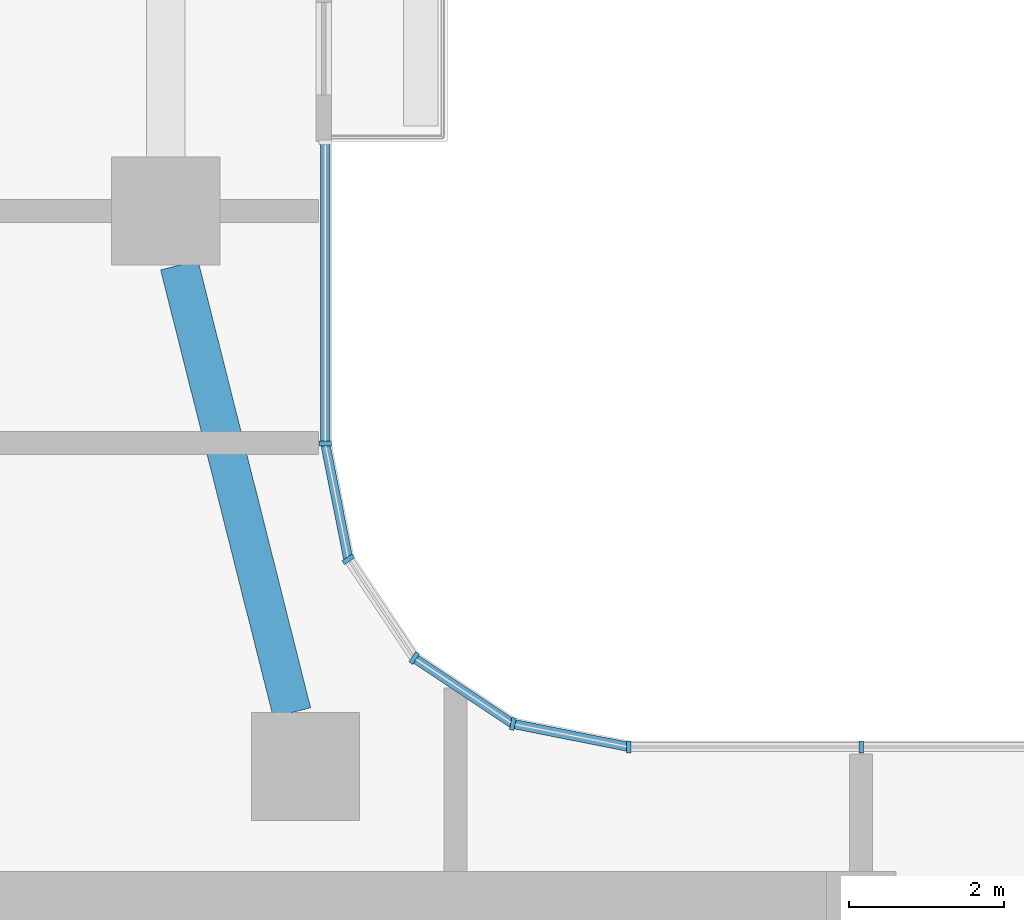
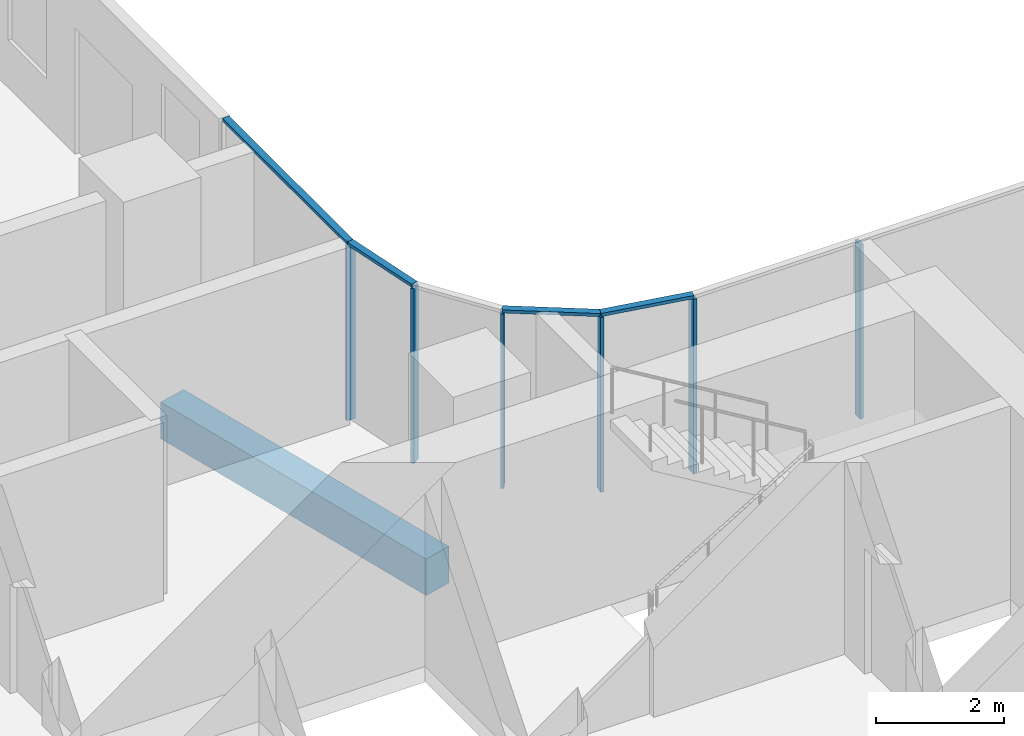
# One storey, part 2 of 32: 10 members, 1 beam, 3 elements without a shape of their own.
"""IFC4 building model written with IfcOpenShell, lengths in metres."""

from ifc_helpers import new_model, si_unit, direction, frame, origin, origin_2d, place, context, subcontext, project, spatial, rectangle, extrude, material, material_profile, profile_set, type_object, element, aggregate, save


model = new_model("IFC4")

# Units and contexts
model_context = context("Model", 3, precision=1e-05, world=origin(), true_north=direction((0.0, 1.0)))
body_context = subcontext(model_context, "Body", "Model", "MODEL_VIEW")
ifc_project = project(units=[si_unit("LENGTHUNIT", "METRE"), si_unit("AREAUNIT", "SQUARE_METRE"), si_unit("VOLUMEUNIT", "CUBIC_METRE"), si_unit("PLANEANGLEUNIT", "RADIAN"), si_unit("MASSUNIT", "GRAM", prefix="KILO")], contexts=[model_context])

# Site, building, storey
site_placement = place(None, origin())
site = spatial("IfcSite", under=ifc_project, at=site_placement, CompositionType="ELEMENT")
building_placement = place(site_placement, origin())
building = spatial("IfcBuilding", under=site, at=building_placement, Name="Ogive Portal Towers", CompositionType="ELEMENT")
storey_placement = place(building_placement, frame((0.0, 0.0, 55.699951171875)))
storey = spatial("IfcBuildingStorey", under=building, at=storey_placement, Name="L12", CompositionType="ELEMENT", Elevation=55.699951171875)

# Curtain wall, members
ifc_material_1 = material(Name="Glass, clear low-iron insulated glazing", Category="glass")
curtain_wall_type = type_object("IfcCurtainWallType", Name="CW FRONT RIBBON 4500", PredefinedType="NOTDEFINED", material=ifc_material_1)
curtain_wall_1_placement = place(storey_placement, origin())
curtain_wall_1 = element("IfcCurtainWall", 1, at=curtain_wall_1_placement, inside=storey, type_object=curtain_wall_type, Name="A:L12:f16:cw1", PredefinedType="NOTDEFINED")
ifc_material_2 = material(Name="Aluminium 6063 anodised", Category="aluminium")
ifc_material_profile_1 = material_profile(ifc_material_2, rectangle(XDim=0.159912109375, YDim=0.06005859375, at=origin_2d()), Name="AL 60x160")
ifc_profile_set_1 = profile_set([ifc_material_profile_1], Name="Aluminium 6063 anodised")
member_type_1 = type_object("IfcMemberType", Name="CW MULLION 60x160", PredefinedType="MULLION", material=ifc_profile_set_1)
member_1_placement = place(storey_placement, frame((58.5, 41.56494140625, 0.0), z_axis=(0.0, 0.0, 1.0), x_axis=(0.0, -1.0, 0.0)))
member_1 = element("IfcMember", 2, at=member_1_placement, type_object=member_type_1, Name="mullion", PredefinedType="MULLION", context=body_context, shape_type="SweptSolid", body=[
    extrude(rectangle(XDim=0.159912109375, YDim=0.06005859375, at=origin_2d()), origin(), (0.0, 0.0, 1.0), 3.340087890625),
])
member_2_placement = place(storey_placement, frame((55.4921875, 41.56494140625, 0.0), z_axis=(0.0, 0.0, 1.0), x_axis=(0.0, -1.0, 0.0)))
member_2 = element("IfcMember", 3, at=member_2_placement, type_object=member_type_1, Name="mullion", PredefinedType="MULLION", context=body_context, shape_type="SweptSolid", body=[
    extrude(rectangle(XDim=0.159912109375, YDim=0.06005859375, at=origin_2d()), origin(), (0.0, 0.0, 1.0), 3.340087890625),
])
aggregate(curtain_wall_1, [member_1, member_2])

# Curtain wall, member
curtain_wall_2_placement = place(storey_placement, origin())
curtain_wall_2 = element("IfcCurtainWall", 4, at=curtain_wall_2_placement, inside=storey, type_object=curtain_wall_type, Name="A:L12:f21:cw0", PredefinedType="NOTDEFINED")
member_3_placement = place(storey_placement, frame((51.56494140625, 45.4921875, 0.0), z_axis=(0.0, 0.0, 1.0), x_axis=(-1.0, 0.0, 0.0)))
member_3 = element("IfcMember", 5, at=member_3_placement, type_object=member_type_1, Name="mullion", PredefinedType="MULLION", context=body_context, shape_type="SweptSolid", body=[
    extrude(rectangle(XDim=0.159912109375, YDim=0.06005859375, at=origin_2d()), origin(), (0.0, 0.0, 1.0), 3.340087890625),
])

# Curtain wall, members
curtain_wall_3_placement = place(storey_placement, origin())
curtain_wall_3 = element("IfcCurtainWall", 6, at=curtain_wall_3_placement, inside=storey, type_object=curtain_wall_type, Name="A:L12:f17:cwa", PredefinedType="NOTDEFINED")
member_4_placement = place(storey_placement, frame((53.99365234375, 41.863037109375, 0.0), z_axis=(0.0, 0.0, 1.0), x_axis=(-0.195090322016, -0.980785280403, 0.0)))
member_4 = element("IfcMember", 7, at=member_4_placement, type_object=member_type_1, Name="mullion", PredefinedType="MULLION", context=body_context, shape_type="SweptSolid", body=[
    extrude(rectangle(XDim=0.159912109375, YDim=0.06005859375, at=origin_2d()), origin(), (0.0, 0.0, 1.0), 3.340087890625),
])
member_5_placement = place(storey_placement, frame((52.71630859375, 42.71630859375, 0.0), z_axis=(0.0, 0.0, 1.0), x_axis=(-0.55557023302, -0.831469612303, 0.0)))
member_5 = element("IfcMember", 8, at=member_5_placement, type_object=member_type_1, Name="mullion", PredefinedType="MULLION", context=body_context, shape_type="SweptSolid", body=[
    extrude(rectangle(XDim=0.159912109375, YDim=0.06005859375, at=origin_2d()), origin(), (0.0, 0.0, 1.0), 3.340087890625),
])
member_6_placement = place(storey_placement, frame((51.863037109375, 43.99365234375, 0.0), z_axis=(0.0, 0.0, 1.0), x_axis=(-0.831469612303, -0.55557023302, 0.0)))
member_6 = element("IfcMember", 9, at=member_6_placement, type_object=member_type_1, Name="mullion", PredefinedType="MULLION", context=body_context, shape_type="SweptSolid", body=[
    extrude(rectangle(XDim=0.159912109375, YDim=0.06005859375, at=origin_2d()), origin(), (0.0, 0.0, 1.0), 3.340087890625),
])

# Member
ifc_material_profile_2 = material_profile(ifc_material_2, rectangle(XDim=0.1201171875, YDim=0.06005859375, at=origin_2d()), Name="AL 120x60")
ifc_profile_set_2 = profile_set([ifc_material_profile_2], Name="Aluminium 6063 anodised")
member_type_2 = type_object("IfcMemberType", Name="CW TRANSOM 60x120", PredefinedType="USERDEFINED", material=ifc_profile_set_2)
member_7_placement = place(storey_placement, frame((51.56494140625, 45.4921875, 3.3701171875), z_axis=(0.0, 1.0, 0.0), x_axis=(-1.0, 0.0, 0.0)))
member_7 = element("IfcMember", 10, at=member_7_placement, type_object=member_type_2, Name="transom", ObjectType="TRANSOM", PredefinedType="USERDEFINED", context=body_context, shape_type="SweptSolid", body=[
    extrude(rectangle(XDim=0.1201171875, YDim=0.06005859375, at=origin_2d()), origin(), (0.0, 0.0, 1.0), 3.8994140625),
])

aggregate(curtain_wall_2, [member_7, member_3])

member_8_placement = place(storey_placement, frame((55.4921875, 41.56494140625, 3.3701171875), z_axis=(-0.980782960085, 0.195101986683, 0.0), x_axis=(-0.195101986683, -0.980782960085, 0.0)))
member_8 = element("IfcMember", 11, at=member_8_placement, type_object=member_type_2, Name="transom", ObjectType="TRANSOM", PredefinedType="USERDEFINED", context=body_context, shape_type="SweptSolid", body=[
    extrude(rectangle(XDim=0.1201171875, YDim=0.06005859375, at=origin_2d()), origin(), (0.0, 0.0, 1.0), 1.52783203125),
])

member_9_placement = place(storey_placement, frame((53.99365234375, 41.863037109375, 3.3701171875), z_axis=(-0.831536462619, 0.555470171417, 0.0), x_axis=(-0.555470171417, -0.831536462619, 0.0)))
member_9 = element("IfcMember", 12, at=member_9_placement, type_object=member_type_2, Name="transom", ObjectType="TRANSOM", PredefinedType="USERDEFINED", context=body_context, shape_type="SweptSolid", body=[
    extrude(rectangle(XDim=0.1201171875, YDim=0.06005859375, at=origin_2d()), origin(), (0.0, 0.0, 1.0), 1.5361328125),
])

member_10_placement = place(storey_placement, frame((51.863037109375, 43.99365234375, 3.3701171875), z_axis=(-0.195101986683, 0.980782960085, 0.0), x_axis=(-0.980782960085, -0.195101986683, 0.0)))
member_10 = element("IfcMember", 13, at=member_10_placement, type_object=member_type_2, Name="transom", ObjectType="TRANSOM", PredefinedType="USERDEFINED", context=body_context, shape_type="SweptSolid", body=[
    extrude(rectangle(XDim=0.1201171875, YDim=0.06005859375, at=origin_2d()), origin(), (0.0, 0.0, 1.0), 1.52783203125),
])

aggregate(curtain_wall_3, [member_8, member_9, member_10, member_4, member_5, member_6])

# Beam
ifc_material_3 = material(Name="Concrete C40/50", Category="concrete")
ifc_material_profile_3 = material_profile(ifc_material_3, rectangle(XDim=0.5, YDim=0.699951171875, at=origin_2d()), Name="RC 500x700")
ifc_profile_set_3 = profile_set([ifc_material_profile_3], Name="Concrete C40/50")
beam_type = type_object("IfcBeamType", Name="SPANDREL BEAM RC 500x700", PredefinedType="BEAM", material=ifc_profile_set_3)
beam_placement = place(storey_placement, frame((49.67626953125, 47.800048828125, -0.64990234375), z_axis=(0.24411317639, -0.969746748957, 0.0), x_axis=(0.969746748957, 0.24411317639, 0.0)))
element("IfcBeam", 14, at=beam_placement, inside=storey, type_object=beam_type, Name="Spandrel beam L12", PredefinedType="BEAM", context=body_context, shape_type="SweptSolid", body=[
    extrude(rectangle(XDim=0.5, YDim=0.699951171875, at=origin_2d()), origin(), (0.0, 0.0, 1.0), 5.970703125),
])

save(model, "model.ifc")
